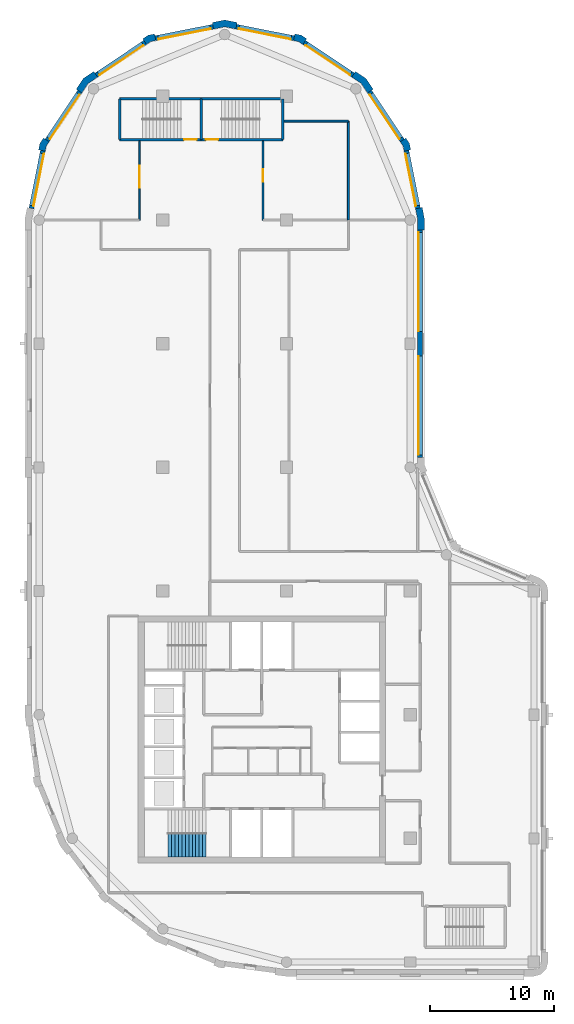
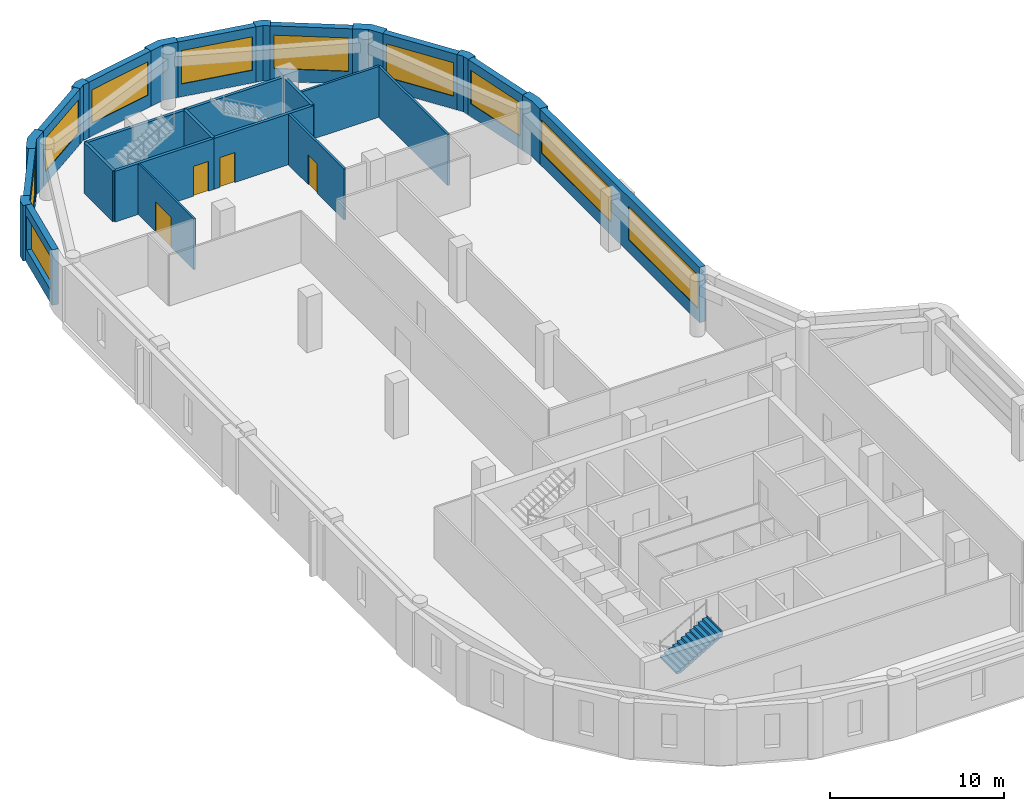
# One storey, part 5 of 8: 28 walls, 10 windows, 4 doors, 1 stair flight, 14 openings, 1 element without a shape of its own.
"""IFC4 building model written with IfcOpenShell, lengths in metres."""

from ifc_helpers import new_model, si_unit, direction, frame, frame_2d, origin, place, context, subcontext, project, spatial, polyline, rectangle, outline, extrude, material, layer, layer_set, type_object, element, fill, aggregate, save


model = new_model("IFC4")

# Units and contexts
model_context = context("Model", 3, precision=1e-05, world=origin(), true_north=direction((0.0, 1.0)))
body_context = subcontext(model_context, "Body", "Model", "MODEL_VIEW")
ifc_project = project(units=[si_unit("LENGTHUNIT", "METRE"), si_unit("AREAUNIT", "SQUARE_METRE"), si_unit("VOLUMEUNIT", "CUBIC_METRE"), si_unit("PLANEANGLEUNIT", "RADIAN"), si_unit("MASSUNIT", "GRAM", prefix="KILO")], contexts=[model_context])

# Site, building, storey
site_placement = place(None, origin())
site = spatial("IfcSite", under=ifc_project, at=site_placement, CompositionType="ELEMENT")
building_placement = place(site_placement, origin())
building = spatial("IfcBuilding", under=site, at=building_placement, Name="Qaws Garden Tower", CompositionType="ELEMENT")
storey_placement = place(building_placement, frame((0.0, 0.0, 333.300048828125)))
storey = spatial("IfcBuildingStorey", under=building, at=storey_placement, Name="L81", CompositionType="ELEMENT", Elevation=333.300048828125)

# Wall, openings, windows
ifc_material_1 = material(Name="Clay facing brick masonry", Category="masonry")
ifc_layer_1 = layer(ifc_material_1, 0.39990234375)
ifc_layer_set_1 = layer_set([ifc_layer_1], Name="Clay facing brick masonry")
wall_type_1 = type_object("IfcWallType", Name="Brick infill wall 400", PredefinedType="SOLIDWALL", material=ifc_layer_set_1)
wall_1_placement = place(storey_placement, frame((30.800048828125, 40.800048828125, 0.0), z_axis=(0.0, 0.0, 1.0), x_axis=(0.0, 1.0, 0.0)))
wall_1 = element("IfcWall", 1, at=wall_1_placement, inside=storey, type_object=wall_type_1, Name="E-L81-infill-07", PredefinedType="SOLIDWALL", context=body_context, shape_type="SweptSolid", body=[
    extrude(rectangle(XDim=18.39990234375, YDim=0.39990234375, at=frame_2d((9.199951171875, 0.0))), origin(), (0.0, 0.0, 1.0), 3.89990234375),
])
opening_1_placement = place(wall_1_placement, frame((0.199951171875, 0.0, 0.89990234375)))
opening_1 = element("IfcOpeningElement", 2, at=opening_1_placement, cuts=wall_1, Name="Opening W01", PredefinedType="OPENING", context=body_context, shape_type="SweptSolid", body=[
    extrude(rectangle(XDim=8.0, YDim=2.35009765625, at=frame_2d((4.0, 1.175048828125))), frame((0.0, 0.2099609375, 0.0), z_axis=(0.0, -1.0, 0.0), x_axis=(1.0, 0.0, 0.0)), (0.0, 0.0, 1.0), 0.419921875),
])
opening_2_placement = place(wall_1_placement, frame((10.199951171875, 0.0, 0.89990234375)))
opening_2 = element("IfcOpeningElement", 3, at=opening_2_placement, cuts=wall_1, Name="Opening W01", PredefinedType="OPENING", context=body_context, shape_type="SweptSolid", body=[
    extrude(rectangle(XDim=8.0, YDim=2.35009765625, at=frame_2d((4.0, 1.175048828125))), frame((0.0, 0.2099609375, 0.0), z_axis=(0.0, -1.0, 0.0), x_axis=(1.0, 0.0, 0.0)), (0.0, 0.0, 1.0), 0.419921875),
])
ifc_material_2 = material(Name="Aluminium framed window, clear glazing", Category="aluminium")
window_type_1 = type_object("IfcWindowType", Name="Ribbon window 8000 x 2350", PartitioningType="DOUBLE_PANEL_VERTICAL", PredefinedType="WINDOW", material=ifc_material_2)
window_1_placement = place(opening_1_placement, origin())
window_1 = element("IfcWindow", 4, at=window_1_placement, inside=storey, type_object=window_type_1, Name="E-L81-window-07-0", OverallHeight=2.35009765625, OverallWidth=8.0, PartitioningType="SINGLE_PANEL", PredefinedType="WINDOW", context=body_context, shape_type="SweptSolid", body=[
    extrude(rectangle(XDim=8.0, YDim=2.35009765625, at=frame_2d((4.0, 1.175048828125))), frame((0.0, 0.159912109375, 0.0), z_axis=(0.0, -1.0, 0.0), x_axis=(1.0, 0.0, 0.0)), (0.0, 0.0, 1.0), 0.06005859375),
])
fill(opening_1, window_1)
window_2_placement = place(opening_2_placement, origin())
window_2 = element("IfcWindow", 5, at=window_2_placement, inside=storey, type_object=window_type_1, Name="E-L81-window-08-0", OverallHeight=2.35009765625, OverallWidth=8.0, PartitioningType="SINGLE_PANEL", PredefinedType="WINDOW", context=body_context, shape_type="SweptSolid", body=[
    extrude(rectangle(XDim=8.0, YDim=2.35009765625, at=frame_2d((4.0, 1.175048828125))), frame((0.0, 0.159912109375, 0.0), z_axis=(0.0, -1.0, 0.0), x_axis=(1.0, 0.0, 0.0)), (0.0, 0.0, 1.0), 0.06005859375),
])
fill(opening_2, window_2)

# Wall, opening, window
wall_2_placement = place(storey_placement, frame((30.628662109375, 60.940673828125, 0.0), z_axis=(0.0, 0.0, 1.0), x_axis=(-0.195098533057, 0.98078364709, 0.0)))
wall_2 = element("IfcWall", 6, at=wall_2_placement, inside=storey, type_object=wall_type_1, Name="E-L81-infill-09", PredefinedType="SOLIDWALL", context=body_context, shape_type="SweptSolid", body=[
    extrude(rectangle(XDim=4.752685546875, YDim=0.39990234375, at=frame_2d((2.37646484375, 0.0))), origin(), (0.0, 0.0, 1.0), 3.89990234375),
])
opening_3_placement = place(wall_2_placement, frame((0.226318359375, 0.0, 0.89990234375)))
opening_3 = element("IfcOpeningElement", 7, at=opening_3_placement, cuts=wall_2, Name="Opening W06", PredefinedType="OPENING", context=body_context, shape_type="SweptSolid", body=[
    extrude(rectangle(XDim=4.300048828125, YDim=2.35009765625, at=frame_2d((2.14990234375, 1.175048828125))), frame((0.0, 0.2099609375, 0.0), z_axis=(0.0, -1.0, 0.0), x_axis=(1.0, 0.0, 0.0)), (0.0, 0.0, 1.0), 0.419921875),
])
ifc_material_3 = material(Name="Aluminium framed window, clear glazing", Category="aluminium")
window_type_2 = type_object("IfcWindowType", Name="Ribbon window 4300 x 2350", PartitioningType="DOUBLE_PANEL_VERTICAL", PredefinedType="WINDOW", material=ifc_material_3)
window_3_placement = place(opening_3_placement, origin())
window_3 = element("IfcWindow", 8, at=window_3_placement, inside=storey, type_object=window_type_2, Name="E-L81-window-09-0", OverallHeight=2.35009765625, OverallWidth=4.300048828125, PartitioningType="SINGLE_PANEL", PredefinedType="WINDOW", context=body_context, shape_type="SweptSolid", body=[
    extrude(rectangle(XDim=4.300048828125, YDim=2.35009765625, at=frame_2d((2.14990234375, 1.175048828125))), frame((0.0, 0.159912109375, 0.0), z_axis=(0.0, -1.0, 0.0), x_axis=(1.0, 0.0, 0.0)), (0.0, 0.0, 1.0), 0.06005859375),
])
fill(opening_3, window_3)

wall_3_placement = place(storey_placement, frame((29.356689453125, 66.43408203125, 0.0), z_axis=(0.0, 0.0, 1.0), x_axis=(-0.555541552266, 0.831488775454, 0.0)))
wall_3 = element("IfcWall", 9, at=wall_3_placement, inside=storey, type_object=wall_type_1, Name="E-L81-infill-10", PredefinedType="SOLIDWALL", context=body_context, shape_type="SweptSolid", body=[
    extrude(rectangle(XDim=4.752685546875, YDim=0.39990234375, at=frame_2d((2.37646484375, 0.0))), origin(), (0.0, 0.0, 1.0), 3.89990234375),
])
opening_4_placement = place(wall_3_placement, frame((0.226318359375, 0.0, 0.89990234375)))
opening_4 = element("IfcOpeningElement", 10, at=opening_4_placement, cuts=wall_3, Name="Opening W06", PredefinedType="OPENING", context=body_context, shape_type="SweptSolid", body=[
    extrude(rectangle(XDim=4.300048828125, YDim=2.35009765625, at=frame_2d((2.14990234375, 1.175048828125))), frame((0.0, 0.2099609375, 0.0), z_axis=(0.0, -1.0, 0.0), x_axis=(1.0, 0.0, 0.0)), (0.0, 0.0, 1.0), 0.419921875),
])
window_4_placement = place(opening_4_placement, origin())
window_4 = element("IfcWindow", 11, at=window_4_placement, inside=storey, type_object=window_type_2, Name="E-L81-window-10-0", OverallHeight=2.35009765625, OverallWidth=4.300048828125, PartitioningType="SINGLE_PANEL", PredefinedType="WINDOW", context=body_context, shape_type="SweptSolid", body=[
    extrude(rectangle(XDim=4.300048828125, YDim=2.35009765625, at=frame_2d((2.14990234375, 1.175048828125))), frame((0.0, 0.159912109375, 0.0), z_axis=(0.0, -1.0, 0.0), x_axis=(1.0, 0.0, 0.0)), (0.0, 0.0, 1.0), 0.06005859375),
])
fill(opening_4, window_4)

wall_4_placement = place(storey_placement, frame((25.385986328125, 71.71630859375, 0.0), z_axis=(0.0, 0.0, 1.0), x_axis=(-0.831488775454, 0.555541552266, 0.0)))
wall_4 = element("IfcWall", 12, at=wall_4_placement, inside=storey, type_object=wall_type_1, Name="E-L81-infill-11", PredefinedType="SOLIDWALL", context=body_context, shape_type="SweptSolid", body=[
    extrude(rectangle(XDim=4.752685546875, YDim=0.39990234375, at=frame_2d((2.37646484375, 0.0))), origin(), (0.0, 0.0, 1.0), 3.89990234375),
])
opening_5_placement = place(wall_4_placement, frame((0.226318359375, 0.0, 0.89990234375)))
opening_5 = element("IfcOpeningElement", 13, at=opening_5_placement, cuts=wall_4, Name="Opening W06", PredefinedType="OPENING", context=body_context, shape_type="SweptSolid", body=[
    extrude(rectangle(XDim=4.300048828125, YDim=2.35009765625, at=frame_2d((2.14990234375, 1.175048828125))), frame((0.0, 0.2099609375, 0.0), z_axis=(0.0, -1.0, 0.0), x_axis=(1.0, 0.0, 0.0)), (0.0, 0.0, 1.0), 0.419921875),
])
window_5_placement = place(opening_5_placement, origin())
window_5 = element("IfcWindow", 14, at=window_5_placement, inside=storey, type_object=window_type_2, Name="E-L81-window-11-0", OverallHeight=2.35009765625, OverallWidth=4.300048828125, PartitioningType="SINGLE_PANEL", PredefinedType="WINDOW", context=body_context, shape_type="SweptSolid", body=[
    extrude(rectangle(XDim=4.300048828125, YDim=2.35009765625, at=frame_2d((2.14990234375, 1.175048828125))), frame((0.0, 0.159912109375, 0.0), z_axis=(0.0, -1.0, 0.0), x_axis=(1.0, 0.0, 0.0)), (0.0, 0.0, 1.0), 0.06005859375),
])
fill(opening_5, window_5)

wall_5_placement = place(storey_placement, frame((20.60205078125, 74.701416015625, 0.0), z_axis=(0.0, 0.0, 1.0), x_axis=(-0.98078364709, 0.195098533057, 0.0)))
wall_5 = element("IfcWall", 15, at=wall_5_placement, inside=storey, type_object=wall_type_1, Name="E-L81-infill-12", PredefinedType="SOLIDWALL", context=body_context, shape_type="SweptSolid", body=[
    extrude(rectangle(XDim=4.752685546875, YDim=0.39990234375, at=frame_2d((2.37646484375, 0.0))), origin(), (0.0, 0.0, 1.0), 3.89990234375),
])
opening_6_placement = place(wall_5_placement, frame((0.226318359375, 0.0, 0.89990234375)))
opening_6 = element("IfcOpeningElement", 16, at=opening_6_placement, cuts=wall_5, Name="Opening W06", PredefinedType="OPENING", context=body_context, shape_type="SweptSolid", body=[
    extrude(rectangle(XDim=4.300048828125, YDim=2.35009765625, at=frame_2d((2.14990234375, 1.175048828125))), frame((0.0, 0.2099609375, 0.0), z_axis=(0.0, -1.0, 0.0), x_axis=(1.0, 0.0, 0.0)), (0.0, 0.0, 1.0), 0.419921875),
])
window_6_placement = place(opening_6_placement, origin())
window_6 = element("IfcWindow", 17, at=window_6_placement, inside=storey, type_object=window_type_2, Name="E-L81-window-12-0", OverallHeight=2.35009765625, OverallWidth=4.300048828125, PartitioningType="SINGLE_PANEL", PredefinedType="WINDOW", context=body_context, shape_type="SweptSolid", body=[
    extrude(rectangle(XDim=4.300048828125, YDim=2.35009765625, at=frame_2d((2.14990234375, 1.175048828125))), frame((0.0, 0.159912109375, 0.0), z_axis=(0.0, -1.0, 0.0), x_axis=(1.0, 0.0, 0.0)), (0.0, 0.0, 1.0), 0.06005859375),
])
fill(opening_6, window_6)

wall_6_placement = place(storey_placement, frame((14.059326171875, 75.628662109375, 0.0), z_axis=(0.0, 0.0, 1.0), x_axis=(-0.98078364709, -0.195098533057, 0.0)))
wall_6 = element("IfcWall", 18, at=wall_6_placement, inside=storey, type_object=wall_type_1, Name="E-L81-infill-13", PredefinedType="SOLIDWALL", context=body_context, shape_type="SweptSolid", body=[
    extrude(rectangle(XDim=4.752685546875, YDim=0.39990234375, at=frame_2d((2.37646484375, 0.0))), origin(), (0.0, 0.0, 1.0), 3.89990234375),
])
opening_7_placement = place(wall_6_placement, frame((0.226318359375, 0.0, 0.89990234375)))
opening_7 = element("IfcOpeningElement", 19, at=opening_7_placement, cuts=wall_6, Name="Opening W06", PredefinedType="OPENING", context=body_context, shape_type="SweptSolid", body=[
    extrude(rectangle(XDim=4.300048828125, YDim=2.35009765625, at=frame_2d((2.14990234375, 1.175048828125))), frame((0.0, 0.2099609375, 0.0), z_axis=(0.0, -1.0, 0.0), x_axis=(1.0, 0.0, 0.0)), (0.0, 0.0, 1.0), 0.419921875),
])
window_7_placement = place(opening_7_placement, origin())
window_7 = element("IfcWindow", 20, at=window_7_placement, inside=storey, type_object=window_type_2, Name="E-L81-window-13-0", OverallHeight=2.35009765625, OverallWidth=4.300048828125, PartitioningType="SINGLE_PANEL", PredefinedType="WINDOW", context=body_context, shape_type="SweptSolid", body=[
    extrude(rectangle(XDim=4.300048828125, YDim=2.35009765625, at=frame_2d((2.14990234375, 1.175048828125))), frame((0.0, 0.159912109375, 0.0), z_axis=(0.0, -1.0, 0.0), x_axis=(1.0, 0.0, 0.0)), (0.0, 0.0, 1.0), 0.06005859375),
])
fill(opening_7, window_7)

wall_7_placement = place(storey_placement, frame((8.56591796875, 74.356689453125, 0.0), z_axis=(0.0, 0.0, 1.0), x_axis=(-0.831488775454, -0.555541552266, 0.0)))
wall_7 = element("IfcWall", 21, at=wall_7_placement, inside=storey, type_object=wall_type_1, Name="E-L81-infill-14", PredefinedType="SOLIDWALL", context=body_context, shape_type="SweptSolid", body=[
    extrude(rectangle(XDim=4.752685546875, YDim=0.39990234375, at=frame_2d((2.37646484375, 0.0))), origin(), (0.0, 0.0, 1.0), 3.89990234375),
])
opening_8_placement = place(wall_7_placement, frame((0.226318359375, 0.0, 0.89990234375)))
opening_8 = element("IfcOpeningElement", 22, at=opening_8_placement, cuts=wall_7, Name="Opening W06", PredefinedType="OPENING", context=body_context, shape_type="SweptSolid", body=[
    extrude(rectangle(XDim=4.300048828125, YDim=2.35009765625, at=frame_2d((2.14990234375, 1.175048828125))), frame((0.0, 0.2099609375, 0.0), z_axis=(0.0, -1.0, 0.0), x_axis=(1.0, 0.0, 0.0)), (0.0, 0.0, 1.0), 0.419921875),
])
window_8_placement = place(opening_8_placement, origin())
window_8 = element("IfcWindow", 23, at=window_8_placement, inside=storey, type_object=window_type_2, Name="E-L81-window-14-0", OverallHeight=2.35009765625, OverallWidth=4.300048828125, PartitioningType="SINGLE_PANEL", PredefinedType="WINDOW", context=body_context, shape_type="SweptSolid", body=[
    extrude(rectangle(XDim=4.300048828125, YDim=2.35009765625, at=frame_2d((2.14990234375, 1.175048828125))), frame((0.0, 0.159912109375, 0.0), z_axis=(0.0, -1.0, 0.0), x_axis=(1.0, 0.0, 0.0)), (0.0, 0.0, 1.0), 0.06005859375),
])
fill(opening_8, window_8)

wall_8_placement = place(storey_placement, frame((3.28369140625, 70.385986328125, 0.0), z_axis=(0.0, 0.0, 1.0), x_axis=(-0.555541552266, -0.831488775454, 0.0)))
wall_8 = element("IfcWall", 24, at=wall_8_placement, inside=storey, type_object=wall_type_1, Name="E-L81-infill-15", PredefinedType="SOLIDWALL", context=body_context, shape_type="SweptSolid", body=[
    extrude(rectangle(XDim=4.752685546875, YDim=0.39990234375, at=frame_2d((2.37646484375, 0.0))), origin(), (0.0, 0.0, 1.0), 3.89990234375),
])
opening_9_placement = place(wall_8_placement, frame((0.226318359375, 0.0, 0.89990234375)))
opening_9 = element("IfcOpeningElement", 25, at=opening_9_placement, cuts=wall_8, Name="Opening W06", PredefinedType="OPENING", context=body_context, shape_type="SweptSolid", body=[
    extrude(rectangle(XDim=4.300048828125, YDim=2.35009765625, at=frame_2d((2.14990234375, 1.175048828125))), frame((0.0, 0.2099609375, 0.0), z_axis=(0.0, -1.0, 0.0), x_axis=(1.0, 0.0, 0.0)), (0.0, 0.0, 1.0), 0.419921875),
])
window_9_placement = place(opening_9_placement, origin())
window_9 = element("IfcWindow", 26, at=window_9_placement, inside=storey, type_object=window_type_2, Name="E-L81-window-15-0", OverallHeight=2.35009765625, OverallWidth=4.300048828125, PartitioningType="SINGLE_PANEL", PredefinedType="WINDOW", context=body_context, shape_type="SweptSolid", body=[
    extrude(rectangle(XDim=4.300048828125, YDim=2.35009765625, at=frame_2d((2.14990234375, 1.175048828125))), frame((0.0, 0.159912109375, 0.0), z_axis=(0.0, -1.0, 0.0), x_axis=(1.0, 0.0, 0.0)), (0.0, 0.0, 1.0), 0.06005859375),
])
fill(opening_9, window_9)

wall_9_placement = place(storey_placement, frame((0.298583984375, 65.60205078125, 0.0), z_axis=(0.0, 0.0, 1.0), x_axis=(-0.195098533057, -0.98078364709, 0.0)))
wall_9 = element("IfcWall", 27, at=wall_9_placement, inside=storey, type_object=wall_type_1, Name="E-L81-infill-16", PredefinedType="SOLIDWALL", context=body_context, shape_type="SweptSolid", body=[
    extrude(rectangle(XDim=4.752685546875, YDim=0.39990234375, at=frame_2d((2.37646484375, 0.0))), origin(), (0.0, 0.0, 1.0), 3.89990234375),
])
opening_10_placement = place(wall_9_placement, frame((0.226318359375, 0.0, 0.89990234375)))
opening_10 = element("IfcOpeningElement", 28, at=opening_10_placement, cuts=wall_9, Name="Opening W06", PredefinedType="OPENING", context=body_context, shape_type="SweptSolid", body=[
    extrude(rectangle(XDim=4.300048828125, YDim=2.35009765625, at=frame_2d((2.14990234375, 1.175048828125))), frame((0.0, 0.2099609375, 0.0), z_axis=(0.0, -1.0, 0.0), x_axis=(1.0, 0.0, 0.0)), (0.0, 0.0, 1.0), 0.419921875),
])
window_10_placement = place(opening_10_placement, origin())
window_10 = element("IfcWindow", 29, at=window_10_placement, inside=storey, type_object=window_type_2, Name="E-L81-window-16-0", OverallHeight=2.35009765625, OverallWidth=4.300048828125, PartitioningType="SINGLE_PANEL", PredefinedType="WINDOW", context=body_context, shape_type="SweptSolid", body=[
    extrude(rectangle(XDim=4.300048828125, YDim=2.35009765625, at=frame_2d((2.14990234375, 1.175048828125))), frame((0.0, 0.159912109375, 0.0), z_axis=(0.0, -1.0, 0.0), x_axis=(1.0, 0.0, 0.0)), (0.0, 0.0, 1.0), 0.06005859375),
])
fill(opening_10, window_10)

# Walls
ifc_material_4 = material(Name="Clay facing brick masonry", Category="masonry")
ifc_layer_2 = layer(ifc_material_4, 0.550048828125)
ifc_layer_set_2 = layer_set([ifc_layer_2], Name="Clay facing brick masonry")
wall_type_2 = type_object("IfcWallType", Name="Brick kink pier 550 x 600", PredefinedType="SOLIDWALL", material=ifc_layer_set_2)
placement = place(storey_placement, origin())
element("IfcWall", 30, at=placement, inside=storey, type_object=wall_type_2, Name="E-L81-pier-10", PredefinedType="SOLIDWALL", context=body_context, shape_type="SweptSolid", body=[
    extrude(outline(polyline([(29.8974609375, 65.64111328125), (30.044677734375, 65.67041015625), (29.94140625, 66.18896484375), (29.647705078125, 66.628662109375), (29.52294921875, 66.545166015625), (29.1904296875, 66.322998046875), (29.42333984375, 65.974365234375), (29.505126953125, 65.56298828125), (29.8974609375, 65.64111328125)])), origin(), (0.0, 0.0, 1.0), 3.89990234375),
])
element("IfcWall", 31, at=placement, inside=storey, type_object=wall_type_2, Name="E-L81-pier-12", PredefinedType="SOLIDWALL", context=body_context, shape_type="SweptSolid", body=[
    extrude(outline(polyline([(21.545166015625, 74.52294921875), (21.628662109375, 74.647705078125), (21.18896484375, 74.94140625), (20.67041015625, 75.044677734375), (20.64111328125, 74.8974609375), (20.56298828125, 74.505126953125), (20.974365234375, 74.42333984375), (21.322998046875, 74.1904296875), (21.545166015625, 74.52294921875)])), origin(), (0.0, 0.0, 1.0), 3.89990234375),
])
element("IfcWall", 32, at=placement, inside=storey, type_object=wall_type_2, Name="E-L81-pier-14", PredefinedType="SOLIDWALL", context=body_context, shape_type="SweptSolid", body=[
    extrude(outline(polyline([(9.35888671875, 74.8974609375), (9.32958984375, 75.044677734375), (8.81103515625, 74.94140625), (8.371337890625, 74.647705078125), (8.454833984375, 74.52294921875), (8.677001953125, 74.1904296875), (9.025634765625, 74.42333984375), (9.43701171875, 74.505126953125), (9.35888671875, 74.8974609375)])), origin(), (0.0, 0.0, 1.0), 3.89990234375),
])
element("IfcWall", 33, at=placement, inside=storey, type_object=wall_type_2, Name="E-L81-pier-16", PredefinedType="SOLIDWALL", context=body_context, shape_type="SweptSolid", body=[
    extrude(outline(polyline([(0.47705078125, 66.545166015625), (0.352294921875, 66.628662109375), (0.05859375, 66.18896484375), (-0.044677734375, 65.67041015625), (0.1025390625, 65.64111328125), (0.494873046875, 65.56298828125), (0.57666015625, 65.974365234375), (0.8095703125, 66.322998046875), (0.47705078125, 66.545166015625)])), origin(), (0.0, 0.0, 1.0), 3.89990234375),
])
ifc_material_5 = material(Name="Clay facing brick masonry", Category="masonry")
ifc_layer_3 = layer(ifc_material_5, 0.550048828125)
ifc_layer_set_3 = layer_set([ifc_layer_3], Name="Clay facing brick masonry")
wall_type_3 = type_object("IfcWallType", Name="Brick pier 550 x 1600", PredefinedType="SOLIDWALL", material=ifc_layer_set_3)
element("IfcWall", 34, at=placement, inside=storey, type_object=wall_type_3, Name="E-L81-pier-09", PredefinedType="SOLIDWALL", context=body_context, shape_type="SweptSolid", body=[
    extrude(outline(polyline([(31.0, 59.199951171875), (31.14990234375, 59.199951171875), (31.14990234375, 60.11328125), (30.971923828125, 61.009033203125), (30.82470703125, 60.979736328125), (30.432373046875, 60.901611328125), (30.60009765625, 60.05908203125), (30.60009765625, 59.199951171875), (31.0, 59.199951171875)])), origin(), (0.0, 0.0, 1.0), 3.89990234375),
])
element("IfcWall", 35, at=placement, inside=storey, type_object=wall_type_3, Name="E-L81-pier-11", PredefinedType="SOLIDWALL", context=body_context, shape_type="SweptSolid", body=[
    extrude(outline(polyline([(26.882568359375, 70.4970703125), (27.00732421875, 70.580322265625), (26.435791015625, 71.435791015625), (25.580322265625, 72.00732421875), (25.4970703125, 71.882568359375), (25.274658203125, 71.550048828125), (26.0390625, 71.0390625), (26.550048828125, 70.274658203125), (26.882568359375, 70.4970703125)])), origin(), (0.0, 0.0, 1.0), 3.89990234375),
])
element("IfcWall", 36, at=placement, inside=storey, type_object=wall_type_3, Name="E-L81-pier-13", PredefinedType="SOLIDWALL", context=body_context, shape_type="SweptSolid", body=[
    extrude(outline(polyline([(15.979736328125, 75.82470703125), (16.009033203125, 75.971923828125), (15.0, 76.172607421875), (13.990966796875, 75.971923828125), (14.020263671875, 75.82470703125), (14.098388671875, 75.432373046875), (15.0, 75.61181640625), (15.901611328125, 75.432373046875), (15.979736328125, 75.82470703125)])), origin(), (0.0, 0.0, 1.0), 3.89990234375),
])
element("IfcWall", 37, at=placement, inside=storey, type_object=wall_type_3, Name="E-L81-pier-15", PredefinedType="SOLIDWALL", context=body_context, shape_type="SweptSolid", body=[
    extrude(outline(polyline([(4.5029296875, 71.882568359375), (4.419677734375, 72.00732421875), (3.564208984375, 71.435791015625), (2.99267578125, 70.580322265625), (3.117431640625, 70.4970703125), (3.449951171875, 70.274658203125), (3.9609375, 71.0390625), (4.725341796875, 71.550048828125), (4.5029296875, 71.882568359375)])), origin(), (0.0, 0.0, 1.0), 3.89990234375),
])

# Wall, opening, door
ifc_material_6 = material(Name="Concrete C60", Category="concrete")
ifc_layer_4 = layer(ifc_material_6, 0.199951171875)
ifc_layer_set_4 = layer_set([ifc_layer_4], Name="Concrete C60")
wall_type_4 = type_object("IfcWallType", Name="Core shaft wall 200 C60", PredefinedType="SHEAR", material=ifc_layer_set_4)
wall_18_placement = place(storey_placement, frame((6.5, 66.5, 0.0), z_axis=(0.0, 0.0, 1.0), x_axis=(1.0, 0.0, 0.0)))
wall_18 = element("IfcWall", 38, at=wall_18_placement, inside=storey, type_object=wall_type_4, Name="Shaft wall", PredefinedType="SHEAR", context=body_context, shape_type="SweptSolid", body=[
    extrude(rectangle(XDim=6.60009765625, YDim=0.199951171875, at=frame_2d((3.300048828125, 0.0))), origin(), (0.0, 0.0, 1.0), 3.579833984375),
])
opening_11_placement = place(wall_18_placement, frame((5.22509765625, 0.0, 0.0)))
opening_11 = element("IfcOpeningElement", 39, at=opening_11_placement, cuts=wall_18, Name="Opening SD13", PredefinedType="OPENING", context=body_context, shape_type="SweptSolid", body=[
    extrude(rectangle(XDim=1.0, YDim=2.10009765625, at=frame_2d((0.5, 1.050048828125))), frame((0.0, 0.10986328125, 0.0), z_axis=(0.0, -1.0, 0.0), x_axis=(1.0, 0.0, 0.0)), (0.0, 0.0, 1.0), 0.219970703125),
])
ifc_material_7 = material(Name="Steel S235", Category="steel")
door_type_1 = type_object("IfcDoorType", Name="Stair door 1000x2100", OperationType="SINGLE_SWING_RIGHT", PredefinedType="DOOR", material=ifc_material_7)
door_1_placement = place(opening_11_placement, origin())
door_1 = element("IfcDoor", 40, at=door_1_placement, inside=storey, type_object=door_type_1, Name="Stair 6 door", OperationType="SINGLE_SWING_RIGHT", OverallHeight=2.10009765625, OverallWidth=1.0, PredefinedType="DOOR", context=body_context, shape_type="SweptSolid", body=[
    extrude(rectangle(XDim=1.0, YDim=2.10009765625, at=frame_2d((0.5, 1.050048828125))), frame((0.0, 0.02490234375, 0.0), z_axis=(0.0, -1.0, 0.0), x_axis=(1.0, 0.0, 0.0)), (0.0, 0.0, 1.0), 0.050048828125),
])
fill(opening_11, door_1)

wall_19_placement = place(storey_placement, frame((13.10009765625, 66.5, 0.0), z_axis=(0.0, 0.0, 1.0), x_axis=(1.0, 0.0, 0.0)))
wall_19 = element("IfcWall", 41, at=wall_19_placement, inside=storey, type_object=wall_type_4, Name="Shaft wall", PredefinedType="SHEAR", context=body_context, shape_type="SweptSolid", body=[
    extrude(rectangle(XDim=6.599853515625, YDim=0.199951171875, at=frame_2d((3.2998046875, 0.0))), origin(), (0.0, 0.0, 1.0), 3.579833984375),
])
opening_12_placement = place(wall_19_placement, frame((0.375, 0.0, 0.0)))
opening_12 = element("IfcOpeningElement", 42, at=opening_12_placement, cuts=wall_19, Name="Opening SD14", PredefinedType="OPENING", context=body_context, shape_type="SweptSolid", body=[
    extrude(rectangle(XDim=1.0, YDim=2.10009765625, at=frame_2d((0.5, 1.050048828125))), frame((0.0, 0.10986328125, 0.0), z_axis=(0.0, -1.0, 0.0), x_axis=(1.0, 0.0, 0.0)), (0.0, 0.0, 1.0), 0.219970703125),
])
door_2_placement = place(opening_12_placement, origin())
door_2 = element("IfcDoor", 43, at=door_2_placement, inside=storey, type_object=door_type_1, Name="Stair 7 door", OperationType="SINGLE_SWING_LEFT", OverallHeight=2.10009765625, OverallWidth=1.0, PredefinedType="DOOR", context=body_context, shape_type="SweptSolid", body=[
    extrude(rectangle(XDim=1.0, YDim=2.10009765625, at=frame_2d((0.5, 1.050048828125))), frame((0.0, 0.02490234375, 0.0), z_axis=(0.0, -1.0, 0.0), x_axis=(1.0, 0.0, 0.0)), (0.0, 0.0, 1.0), 0.050048828125),
])
fill(opening_12, door_2)

# Walls
wall_20_placement = place(storey_placement, frame((6.5, 69.800048828125, 0.0), z_axis=(0.0, 0.0, 1.0), x_axis=(1.0, 0.0, 0.0)))
element("IfcWall", 44, at=wall_20_placement, inside=storey, type_object=wall_type_4, Name="Shaft wall", PredefinedType="SHEAR", context=body_context, shape_type="SweptSolid", body=[
    extrude(rectangle(XDim=6.60009765625, YDim=0.199951171875, at=frame_2d((3.300048828125, 0.0))), origin(), (0.0, 0.0, 1.0), 3.579833984375),
])
wall_21_placement = place(storey_placement, frame((13.10009765625, 69.800048828125, 0.0), z_axis=(0.0, 0.0, 1.0), x_axis=(1.0, 0.0, 0.0)))
element("IfcWall", 45, at=wall_21_placement, inside=storey, type_object=wall_type_4, Name="Shaft wall", PredefinedType="SHEAR", context=body_context, shape_type="SweptSolid", body=[
    extrude(rectangle(XDim=6.599853515625, YDim=0.199951171875, at=frame_2d((3.2998046875, 0.0))), origin(), (0.0, 0.0, 1.0), 3.579833984375),
])
for number, where, z_axis, x_axis, name in (
    (46, (6.5, 66.5, 0.0), (0.0, 0.0, 1.0), (0.0, 1.0, 0.0), "Shaft wall"),
    (47, (13.10009765625, 66.5, 0.0), (0.0, 0.0, 1.0), (0.0, 1.0, 0.0), "Shaft wall"),
    (48, (19.699951171875, 66.5, 0.0), (0.0, 0.0, 1.0), (0.0, 1.0, 0.0), "Shaft wall"),
):
    element("IfcWall", number, at=place(storey_placement, frame(where, z_axis=z_axis, x_axis=x_axis)), inside=storey, type_object=wall_type_4, Name=name, PredefinedType="SHEAR", context=body_context, shape_type="SweptSolid", body=[
        extrude(rectangle(XDim=3.300048828125, YDim=0.199951171875, at=frame_2d((1.64990234375, 0.0))), origin(), (0.0, 0.0, 1.0), 3.579833984375),
    ])

# Wall, opening, door
ifc_material_8 = material(Name="Glass and aluminium framing", Category="aluminium")
ifc_layer_5 = layer(ifc_material_8, 0.1201171875)
ifc_layer_set_5 = layer_set([ifc_layer_5], Name="Glass and aluminium framing")
wall_type_5 = type_object("IfcWallType", Name="GLAZED PARTITION 120 EI 30", PredefinedType="PARTITIONING", material=ifc_layer_set_5)
wall_22_placement = place(storey_placement, frame((8.10009765625, 60.0, 0.0), z_axis=(0.0, 0.0, 1.0), x_axis=(0.0, 1.0, 0.0)))
wall_22 = element("IfcWall", 49, at=wall_22_placement, inside=storey, type_object=wall_type_5, Name="O-L81-wall-033", PredefinedType="PARTITIONING", context=body_context, shape_type="SweptSolid", body=[
    extrude(rectangle(XDim=6.39990234375, YDim=0.1201171875, at=frame_2d((3.199951171875, 0.0))), origin(), (0.0, 0.0, 1.0), 3.579833984375),
])
opening_13_placement = place(wall_22_placement, frame((2.60009765625, 0.0, 0.0)))
opening_13 = element("IfcOpeningElement", 50, at=opening_13_placement, cuts=wall_22, Name="Opening C910", PredefinedType="OPENING", context=body_context, shape_type="SweptSolid", body=[
    extrude(rectangle(XDim=1.800048828125, YDim=2.10009765625, at=frame_2d((0.89990234375, 1.050048828125))), frame((0.0, 0.070068359375, 0.0), z_axis=(0.0, -1.0, 0.0), x_axis=(1.0, 0.0, 0.0)), (0.0, 0.0, 1.0), 0.14013671875),
])
ifc_material_9 = material(Name="Timber door leaf", Category="wood")
door_type_2 = type_object("IfcDoorType", Name="DOUBLE DOOR 1800 X 2100", OperationType="DOUBLE_DOOR_SINGLE_SWING", PredefinedType="DOOR", material=ifc_material_9)
door_3_placement = place(opening_13_placement, origin())
door_3 = element("IfcDoor", 51, at=door_3_placement, inside=storey, type_object=door_type_2, Name="O-L81-door-010", OperationType="DOUBLE_DOOR_SINGLE_SWING", OverallHeight=2.10009765625, OverallWidth=1.800048828125, PredefinedType="DOOR", context=body_context, shape_type="SweptSolid", body=[
    extrude(rectangle(XDim=1.800048828125, YDim=2.10009765625, at=frame_2d((0.89990234375, 1.050048828125))), frame((0.0, 0.02490234375, 0.0), z_axis=(0.0, -1.0, 0.0), x_axis=(1.0, 0.0, 0.0)), (0.0, 0.0, 1.0), 0.050048828125),
])
fill(opening_13, door_3)

ifc_material_10 = material(Name="Gypsum board partition")
ifc_layer_6 = layer(ifc_material_10, 0.14990234375)
ifc_layer_set_6 = layer_set([ifc_layer_6], Name="Gypsum board partition")
wall_type_6 = type_object("IfcWallType", Name="PARTITION 150 EI 60", PredefinedType="PARTITIONING", material=ifc_layer_set_6)
wall_23_placement = place(storey_placement, frame((18.10009765625, 60.0, 0.0), z_axis=(0.0, 0.0, 1.0), x_axis=(0.0, 1.0, 0.0)))
wall_23 = element("IfcWall", 52, at=wall_23_placement, inside=storey, type_object=wall_type_6, Name="O-L81-wall-003", PredefinedType="PARTITIONING", context=body_context, shape_type="SweptSolid", body=[
    extrude(rectangle(XDim=6.39990234375, YDim=0.14990234375, at=frame_2d((3.199951171875, 0.0))), origin(), (0.0, 0.0, 1.0), 3.579833984375),
])
opening_14_placement = place(wall_23_placement, frame((3.10009765625, 0.0, 0.0)))
opening_14 = element("IfcOpeningElement", 53, at=opening_14_placement, cuts=wall_23, Name="Opening C909", PredefinedType="OPENING", context=body_context, shape_type="SweptSolid", body=[
    extrude(rectangle(XDim=1.0, YDim=2.10009765625, at=frame_2d((0.5, 1.050048828125))), frame((0.0, 0.0849609375, 0.0), z_axis=(0.0, -1.0, 0.0), x_axis=(1.0, 0.0, 0.0)), (0.0, 0.0, 1.0), 0.169921875),
])
ifc_material_11 = material(Name="Timber door leaf", Category="wood")
door_type_3 = type_object("IfcDoorType", Name="TENANCY ENTRANCE DOOR 1000 X 2100", OperationType="SINGLE_SWING_LEFT", PredefinedType="DOOR", material=ifc_material_11)
door_4_placement = place(opening_14_placement, frame((1.0, 0.0, 0.0), z_axis=(0.0, 0.0, 1.0), x_axis=(-1.0, 0.0, 0.0)))
door_4 = element("IfcDoor", 54, at=door_4_placement, inside=storey, type_object=door_type_3, Name="O-L81-door-009", OperationType="SINGLE_SWING_RIGHT", OverallHeight=2.10009765625, OverallWidth=1.0, PredefinedType="DOOR", context=body_context, shape_type="SweptSolid", body=[
    extrude(rectangle(XDim=1.0, YDim=2.10009765625, at=frame_2d((0.5, 1.050048828125))), frame((0.0, 0.02490234375, 0.0), z_axis=(0.0, -1.0, 0.0), x_axis=(1.0, 0.0, 0.0)), (0.0, 0.0, 1.0), 0.050048828125),
])
fill(opening_14, door_4)

# Walls
wall_24_placement = place(storey_placement, frame((25.0, 60.0, 0.0), z_axis=(0.0, 0.0, 1.0), x_axis=(0.0, 1.0, 0.0)))
element("IfcWall", 55, at=wall_24_placement, inside=storey, type_object=wall_type_6, Name="O-L81-wall-007", PredefinedType="PARTITIONING", context=body_context, shape_type="SweptSolid", body=[
    extrude(rectangle(XDim=8.0, YDim=0.14990234375, at=frame_2d((4.0, 0.0))), origin(), (0.0, 0.0, 1.0), 3.579833984375),
])
wall_25_placement = place(storey_placement, frame((19.800048828125, 68.0, 0.0), z_axis=(0.0, 0.0, 1.0), x_axis=(1.0, 0.0, 0.0)))
element("IfcWall", 56, at=wall_25_placement, inside=storey, type_object=wall_type_6, Name="O-L81-wall-030", PredefinedType="PARTITIONING", context=body_context, shape_type="SweptSolid", body=[
    extrude(rectangle(XDim=5.199951171875, YDim=0.14990234375, at=frame_2d((2.60009765625, 0.0))), origin(), (0.0, 0.0, 1.0), 3.579833984375),
])

# Stair, stair flight
ifc_material_12 = material(Name="Concrete C40", Category="concrete")
stair_type = type_object("IfcStairType", Name="Exit stair 1500", PredefinedType="HALF_TURN_STAIR", material=ifc_material_12)
stair = element("IfcStair", 57, at=placement, inside=storey, type_object=stair_type, Name="Stair 1", PredefinedType="HALF_TURN_STAIR")
ifc_material_13 = material(Name="Concrete C40", Category="concrete")
stair_flight_type = type_object("IfcStairFlightType", Name="Stair flight 1500", PredefinedType="STRAIGHT", material=ifc_material_13)
stair_flight_placement = place(storey_placement, frame((10.419921875, 9.449951171875, 1.949951171875), z_axis=(0.0, 0.0, 1.0), x_axis=(1.0, 0.0, 0.0)))
stair_flight = element("IfcStairFlight", 58, at=stair_flight_placement, type_object=stair_flight_type, Name="ST1 flight 2", NumberOfRisers=12, NumberOfTreads=11, PredefinedType="STRAIGHT", RiserHeight=0.1625, TreadLength=0.28, context=body_context, shape_type="SweptSolid", body=[
    extrude(outline(polyline([(-0.0029296875, 0.0), (-0.0029296875, 0.16259765625), (0.0, 0.16259765625), (0.280029296875, 0.16259765625), (0.280029296875, 0.324951171875), (0.56005859375, 0.324951171875), (0.56005859375, 0.487548828125), (0.840087890625, 0.487548828125), (0.840087890625, 0.64990234375), (1.1201171875, 0.64990234375), (1.1201171875, 0.8125), (1.39990234375, 0.8125), (1.39990234375, 0.97509765625), (1.679931640625, 0.97509765625), (1.679931640625, 1.137451171875), (1.9599609375, 1.137451171875), (1.9599609375, 1.300048828125), (2.239990234375, 1.300048828125), (2.239990234375, 1.46240234375), (2.52001953125, 1.46240234375), (2.52001953125, 1.625), (2.800048828125, 1.625), (2.800048828125, 1.78759765625), (3.080078125, 1.78759765625), (3.080078125, 1.949951171875), (3.0830078125, 1.949951171875), (3.0830078125, 1.6142578125), (3.080078125, 1.6142578125), (0.298583984375, 0.0), (-0.0029296875, 0.0)])), frame((0.0, 0.949951171875, 0.0), z_axis=(0.0, -1.0, 0.0), x_axis=(1.0, 0.0, 0.0)), (0.0, 0.0, 1.0), 1.89990234375),
])
aggregate(stair, [stair_flight])

save(model, "model.ifc")
